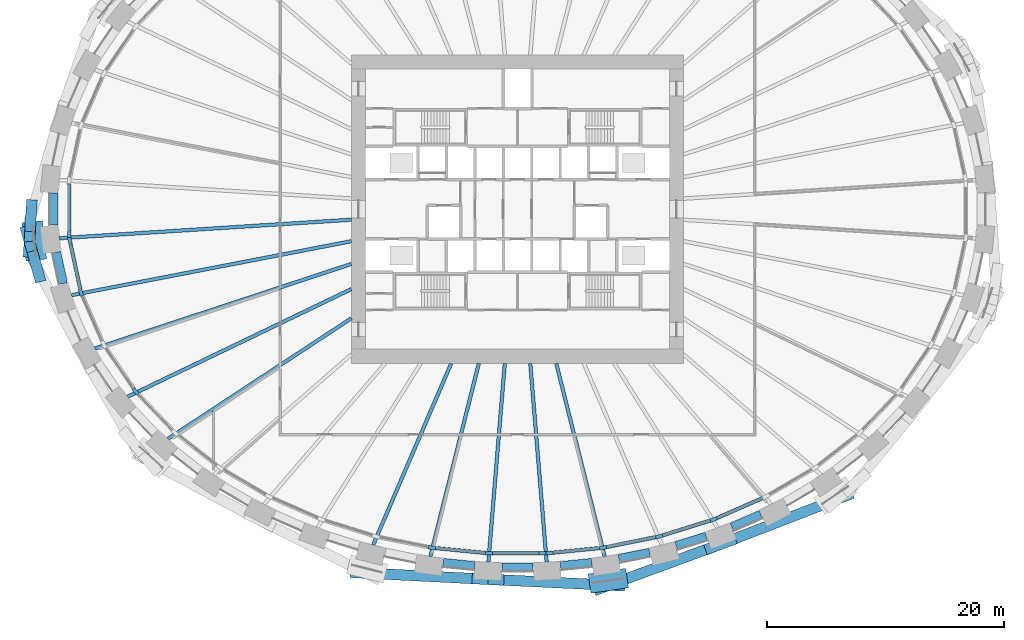
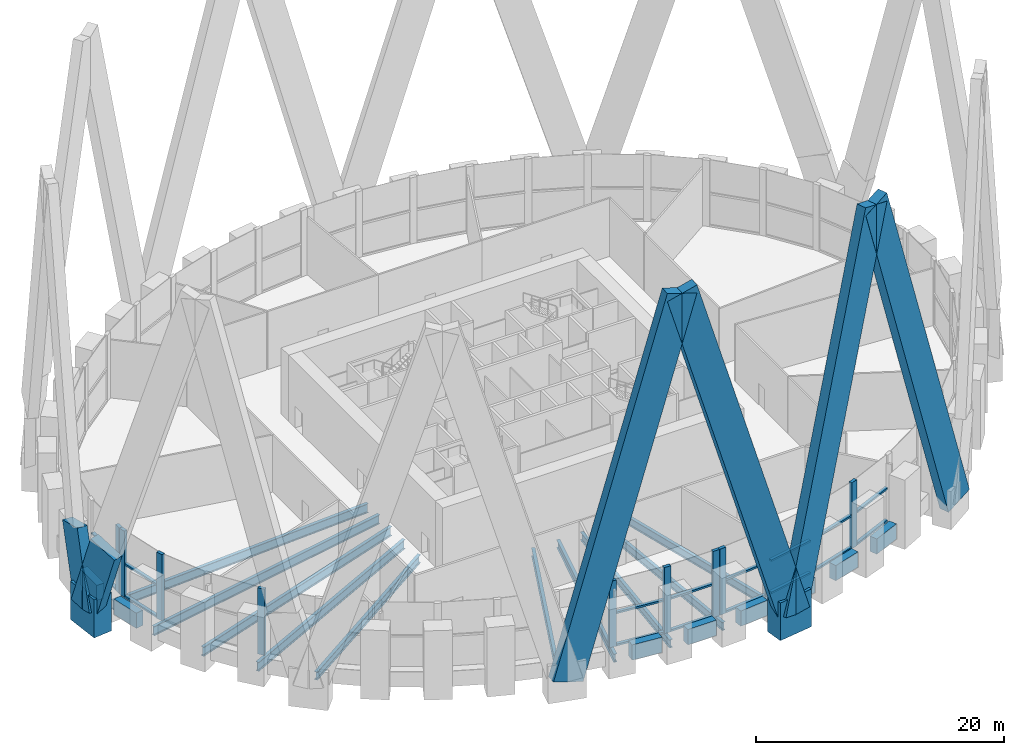
# One storey, part 2 of 17: 35 members, 18 beams, 3 elements without a shape of their own.
"""IFC4 building model written with IfcOpenShell, lengths in metres."""

from ifc_helpers import new_model, si_unit, direction, frame, origin, origin_2d, place, context, subcontext, project, spatial, rectangle, i_section, extrude, source, transform, mapped, material, material_profile, profile_set, type_object, element, aggregate, save


model = new_model("IFC4")

# Units and contexts
model_context = context("Model", 3, precision=1e-05, world=origin(), true_north=direction((0.0, 1.0)))
body_context = subcontext(model_context, "Body", "Model", "MODEL_VIEW")
ifc_project = project(units=[si_unit("LENGTHUNIT", "METRE"), si_unit("AREAUNIT", "SQUARE_METRE"), si_unit("VOLUMEUNIT", "CUBIC_METRE"), si_unit("PLANEANGLEUNIT", "RADIAN"), si_unit("MASSUNIT", "GRAM", prefix="KILO")], contexts=[model_context])

# Site, building, storey
site_placement = place(None, origin())
site = spatial("IfcSite", under=ifc_project, at=site_placement, CompositionType="ELEMENT")
building_placement = place(site_placement, origin())
building = spatial("IfcBuilding", under=site, at=building_placement, Name="Embergate Tower", CompositionType="ELEMENT")
storey_placement = place(building_placement, frame((0.0, 0.0, 125.0)))
storey = spatial("IfcBuildingStorey", under=building, at=storey_placement, Name="L27", CompositionType="ELEMENT", Elevation=125.0)

# Beams
ifc_material_1 = material(Name="Concrete C70", Category="concrete")
ifc_material_profile_1 = material_profile(ifc_material_1, rectangle(XDim=0.699951171875, YDim=1.5, at=origin_2d()), Name="RC 700x1500")
ifc_profile_set_1 = profile_set([ifc_material_profile_1], Name="Concrete C70")
beam_type_1 = type_object("IfcBeamType", Name="Spandrel beam RC 700x1500 C70", PredefinedType="BEAM", material=ifc_profile_set_1)
shared_shape_1 = source(origin(), body_context, "Body", "SweptSolid", [
    extrude(rectangle(XDim=0.699951171875, YDim=1.5, at=origin_2d()), origin(), (0.0, 0.0, 1.0), 2.6923828125),
])
beam_1_placement = place(storey_placement, frame((-38.843017578125, -3.634033203125, 0.0), z_axis=(0.210637397384, -0.977564262247, 0.0), x_axis=(0.977564262247, 0.210637397384, 0.0)))
element("IfcBeam", 1, at=beam_1_placement, inside=storey, type_object=beam_type_1, Name="SPN-L27-22", PredefinedType="BEAM", context=body_context, shape_type="MappedRepresentation", body=[
    mapped(shared_shape_1, transform((0.0, 0.0, 0.0))),
])
shared_shape_2 = source(origin(), body_context, "Body", "SweptSolid", [
    extrude(rectangle(XDim=0.699951171875, YDim=1.5, at=origin_2d()), origin(), (0.0, 0.0, 1.0), 2.658203125),
])
beam_2_placement = place(storey_placement, frame((18.06103515625, -26.780029296875, 0.0), z_axis=(0.916405886448, 0.400250235833, 0.0), x_axis=(-0.400250235833, 0.916405886448, 0.0)))
element("IfcBeam", 2, at=beam_2_placement, inside=storey, type_object=beam_type_1, Name="SPN-L27-36", PredefinedType="BEAM", context=body_context, shape_type="MappedRepresentation", body=[
    mapped(shared_shape_2, transform((0.0, 0.0, 0.0))),
])
shared_shape_3 = source(origin(), body_context, "Body", "SweptSolid", [
    extrude(rectangle(XDim=0.699951171875, YDim=1.5, at=origin_2d()), origin(), (0.0, 0.0, 1.0), 2.654296875),
])
beam_3_placement = place(storey_placement, frame((13.364990234375, -28.35498046875, 0.0), z_axis=(0.954674539356, 0.297651682181, 0.0), x_axis=(-0.297651682181, 0.954674539356, 0.0)))
element("IfcBeam", 3, at=beam_3_placement, inside=storey, type_object=beam_type_1, Name="SPN-L27-35", PredefinedType="BEAM", context=body_context, shape_type="MappedRepresentation", body=[
    mapped(shared_shape_3, transform((0.0, 0.0, 0.0))),
])
shared_shape_4 = source(origin(), body_context, "Body", "SweptSolid", [
    extrude(rectangle(XDim=0.699951171875, YDim=1.5, at=origin_2d()), origin(), (0.0, 0.0, 1.0), 2.65185546875),
])
beam_4_placement = place(storey_placement, frame((8.535888671875, -29.445068359375, 0.0), z_axis=(0.980438789246, 0.196824237691, 0.0), x_axis=(-0.196824237691, 0.980438789246, 0.0)))
element("IfcBeam", 4, at=beam_4_placement, inside=storey, type_object=beam_type_1, Name="SPN-L27-34", PredefinedType="BEAM", context=body_context, shape_type="MappedRepresentation", body=[
    mapped(shared_shape_4, transform((0.0, 0.0, 0.0))),
])
shared_shape_5 = source(origin(), body_context, "Body", "SweptSolid", [
    extrude(rectangle(XDim=0.699951171875, YDim=1.5, at=origin_2d()), origin(), (0.0, 0.0, 1.0), 2.651611328125),
])
for number, where, z_axis, x_axis, name in (
    (5, (-6.260986328125, -29.783935546875, 0.0), (0.99521694764, -0.097689442265, 0.0), (0.097689442265, 0.99521694764, 0.0), "SPN-L27-31"),
    (6, (3.6220703125, -30.04296875, 0.0), (0.99521694764, 0.097689442265, 0.0), (-0.097689442265, 0.99521694764, 0.0), "SPN-L27-33"),
):
    element("IfcBeam", number, at=place(storey_placement, frame(where, z_axis=z_axis, x_axis=x_axis)), inside=storey, type_object=beam_type_1, Name=name, PredefinedType="BEAM", context=body_context, shape_type="MappedRepresentation", body=[
        mapped(shared_shape_5, transform((0.0, 0.0, 0.0))),
    ])
shared_shape_6 = source(origin(), body_context, "Body", "SweptSolid", [
    extrude(rectangle(XDim=0.699951171875, YDim=1.5, at=origin_2d()), origin(), (0.0, 0.0, 1.0), 2.64990234375),
])
beam_5_placement = place(storey_placement, frame((-1.324951171875, -30.156005859375, 0.0), z_axis=(1.0, 0.0, 0.0), x_axis=(0.0, 1.0, 0.0)))
element("IfcBeam", 7, at=beam_5_placement, inside=storey, type_object=beam_type_1, Name="SPN-L27-32", PredefinedType="BEAM", context=body_context, shape_type="MappedRepresentation", body=[
    mapped(shared_shape_6, transform((0.0, 0.0, 0.0))),
])
shared_shape_7 = source(origin(), body_context, "Body", "SweptSolid", [
    extrude(rectangle(XDim=0.699951171875, YDim=1.5, at=origin_2d()), origin(), (0.0, 0.0, 1.0), 2.69384765625),
])
beam_6_placement = place(storey_placement, frame((-39.0859375, 1.346923828125, 0.0), z_axis=(0.0, -1.0, 0.0), x_axis=(1.0, 0.0, 0.0)))
element("IfcBeam", 8, at=beam_6_placement, inside=storey, type_object=beam_type_1, Name="SPN-L27-21", PredefinedType="BEAM", context=body_context, shape_type="MappedRepresentation", body=[
    mapped(shared_shape_7, transform((0.0, 0.0, 0.0))),
])
ifc_material_2 = material(Name="Steel Q355B", Category="steel")
ifc_material_profile_2 = material_profile(ifc_material_2, i_section(OverallWidth=0.300048828125, OverallDepth=0.89990234375, WebThickness=0.01611328125, FlangeThickness=0.028076171875, FilletRadius=0.028076171875, at=origin_2d()), Name="HN 900x300x16x28")
ifc_profile_set_2 = profile_set([ifc_material_profile_2], Name="Steel Q355 grade B")
beam_type_2 = type_object("IfcBeamType", Name="Radial girder HN 900x300x16x28", PredefinedType="BEAM", material=ifc_profile_set_2)
shared_shape_8 = source(origin(), body_context, "Body", "SweptSolid", [
    extrude(i_section(OverallWidth=0.300048828125, OverallDepth=0.89990234375, WebThickness=0.01611328125, FlangeThickness=0.028076171875, FilletRadius=0.028076171875, at=origin_2d()), origin(), (0.0, 0.0, 1.0), 24.66552734375),
])
beam_7_placement = place(storey_placement, frame((-38.615966796875, -2.452880859375, -0.75), z_axis=(0.997987769209, 0.063406722897, 0.0), x_axis=(-0.063406722897, 0.997987769209, 0.0)))
element("IfcBeam", 9, at=beam_7_placement, inside=storey, type_object=beam_type_2, Name="GIR-L27-22", PredefinedType="BEAM", context=body_context, shape_type="MappedRepresentation", body=[
    mapped(shared_shape_8, transform((0.0, 0.0, 0.0))),
])
shared_shape_9 = source(origin(), body_context, "Body", "SweptSolid", [
    extrude(i_section(OverallWidth=0.300048828125, OverallDepth=0.89990234375, WebThickness=0.01611328125, FlangeThickness=0.028076171875, FilletRadius=0.028076171875, at=origin_2d()), origin(), (0.0, 0.0, 1.0), 24.018798828125),
])
beam_8_placement = place(storey_placement, frame((-37.583984375, -7.25, -0.75), z_axis=(0.981893025148, 0.18943623509, 0.0), x_axis=(-0.18943623509, 0.981893025148, 0.0)))
element("IfcBeam", 10, at=beam_8_placement, inside=storey, type_object=beam_type_2, Name="GIR-L27-23", PredefinedType="BEAM", context=body_context, shape_type="MappedRepresentation", body=[
    mapped(shared_shape_9, transform((0.0, 0.0, 0.0))),
])
shared_shape_10 = source(origin(), body_context, "Body", "SweptSolid", [
    extrude(i_section(OverallWidth=0.300048828125, OverallDepth=0.89990234375, WebThickness=0.01611328125, FlangeThickness=0.028076171875, FilletRadius=0.028076171875, at=origin_2d()), origin(), (0.0, 0.0, 1.0), 22.758056640625),
])
beam_9_placement = place(storey_placement, frame((-35.613037109375, -11.7451171875, -0.75), z_axis=(0.949682619366, 0.313213860603, 0.0), x_axis=(-0.313213860603, 0.949682619366, 0.0)))
element("IfcBeam", 11, at=beam_9_placement, inside=storey, type_object=beam_type_2, Name="GIR-L27-24", PredefinedType="BEAM", context=body_context, shape_type="MappedRepresentation", body=[
    mapped(shared_shape_10, transform((0.0, 0.0, 0.0))),
])
shared_shape_11 = source(origin(), body_context, "Body", "SweptSolid", [
    extrude(i_section(OverallWidth=0.300048828125, OverallDepth=0.89990234375, WebThickness=0.01611328125, FlangeThickness=0.028076171875, FilletRadius=0.028076171875, at=origin_2d()), origin(), (0.0, 0.0, 1.0), 20.919921875),
])
beam_10_placement = place(storey_placement, frame((-32.85205078125, -15.803955078125, -0.75), z_axis=(0.901152314796, 0.433502601536, 0.0), x_axis=(-0.433502601536, 0.901152314796, 0.0)))
element("IfcBeam", 12, at=beam_10_placement, inside=storey, type_object=beam_type_2, Name="GIR-L27-25", PredefinedType="BEAM", context=body_context, shape_type="MappedRepresentation", body=[
    mapped(shared_shape_11, transform((0.0, 0.0, 0.0))),
])
ifc_material_profile_3 = material_profile(ifc_material_2, i_section(OverallWidth=0.300048828125, OverallDepth=0.800048828125, WebThickness=0.013916015625, FlangeThickness=0.02587890625, FilletRadius=0.028076171875, at=origin_2d()), Name="HN 800x300x14x26")
ifc_profile_set_3 = profile_set([ifc_material_profile_3], Name="Steel Q355 grade B")
beam_type_3 = type_object("IfcBeamType", Name="Radial girder HN 800x300x14x26", PredefinedType="BEAM", material=ifc_profile_set_3)
shared_shape_12 = source(origin(), body_context, "Body", "SweptSolid", [
    extrude(i_section(OverallWidth=0.300048828125, OverallDepth=0.800048828125, WebThickness=0.013916015625, FlangeThickness=0.02587890625, FilletRadius=0.028076171875, at=origin_2d()), origin(), (0.0, 0.0, 1.0), 18.501953125),
])
beam_11_placement = place(storey_placement, frame((-29.462890625, -19.35791015625, -0.699951171875), z_axis=(0.835740602897, 0.549124434596, 0.0), x_axis=(-0.549124434596, 0.835740602897, 0.0)))
element("IfcBeam", 13, at=beam_11_placement, inside=storey, type_object=beam_type_3, Name="GIR-L27-26", PredefinedType="BEAM", context=body_context, shape_type="MappedRepresentation", body=[
    mapped(shared_shape_12, transform((0.0, 0.0, 0.0))),
])
shared_shape_13 = source(origin(), body_context, "Body", "SweptSolid", [
    extrude(i_section(OverallWidth=0.300048828125, OverallDepth=0.800048828125, WebThickness=0.013916015625, FlangeThickness=0.02587890625, FilletRadius=0.028076171875, at=origin_2d()), origin(), (0.0, 0.0, 1.0), 16.652587890625),
])
beam_12_placement = place(storey_placement, frame((-12.1640625, -28.299072265625, -0.699951171875), z_axis=(0.394904635078, 0.918722117506, 0.0), x_axis=(-0.918722117506, 0.394904635078, 0.0)))
element("IfcBeam", 14, at=beam_12_placement, inside=storey, type_object=beam_type_3, Name="GIR-L27-30", PredefinedType="BEAM", context=body_context, shape_type="MappedRepresentation", body=[
    mapped(shared_shape_13, transform((0.0, 0.0, 0.0))),
])
shared_shape_14 = source(origin(), body_context, "Body", "SweptSolid", [
    extrude(i_section(OverallWidth=0.300048828125, OverallDepth=0.800048828125, WebThickness=0.013916015625, FlangeThickness=0.02587890625, FilletRadius=0.028076171875, at=origin_2d()), origin(), (0.0, 0.0, 1.0), 16.76953125),
])
for number, where, z_axis, x_axis, name in (
    (15, (-7.346923828125, -29.264892578125, -0.699951171875), (0.243477535857, 0.969906536494, 0.0), (-0.969906536494, 0.243477535857, 0.0), "GIR-L27-31"),
    (16, (7.346923828125, -29.264892578125, -0.699951171875), (-0.243477535857, 0.969906536494, 0.0), (-0.969906536494, -0.243477535857, 0.0), "GIR-L27-34"),
):
    element("IfcBeam", number, at=place(storey_placement, frame(where, z_axis=z_axis, x_axis=x_axis)), inside=storey, type_object=beam_type_3, Name=name, PredefinedType="BEAM", context=body_context, shape_type="MappedRepresentation", body=[
        mapped(shared_shape_14, transform((0.0, 0.0, 0.0))),
    ])
shared_shape_15 = source(origin(), body_context, "Body", "SweptSolid", [
    extrude(i_section(OverallWidth=0.300048828125, OverallDepth=0.800048828125, WebThickness=0.013916015625, FlangeThickness=0.02587890625, FilletRadius=0.028076171875, at=origin_2d()), origin(), (0.0, 0.0, 1.0), 16.802978515625),
])
for number, where, z_axis, x_axis, name in (
    (17, (-2.4560546875, -29.74609375, -0.699951171875), (0.082251838935, 0.99661157679, 0.0), (-0.99661157679, 0.082251838935, 0.0), "GIR-L27-32"),
    (18, (2.4560546875, -29.74609375, -0.699951171875), (-0.082251838935, 0.99661157679, 0.0), (-0.99661157679, -0.082251838935, 0.0), "GIR-L27-33"),
):
    element("IfcBeam", number, at=place(storey_placement, frame(where, z_axis=z_axis, x_axis=x_axis)), inside=storey, type_object=beam_type_3, Name=name, PredefinedType="BEAM", context=body_context, shape_type="MappedRepresentation", body=[
        mapped(shared_shape_15, transform((0.0, 0.0, 0.0))),
    ])

# Members
ifc_material_profile_4 = material_profile(ifc_material_1, rectangle(XDim=1.75, YDim=3.25, at=origin_2d()), Name="RC 1750x3250")
ifc_profile_set_4 = profile_set([ifc_material_profile_4], Name="Concrete C70")
member_type_1 = type_object("IfcMemberType", Name="Lattice node block RC 1750x3250", PredefinedType="POST", material=ifc_profile_set_4)
shared_shape_16 = source(origin(), body_context, "Body", "SweptSolid", [
    extrude(rectangle(XDim=1.75, YDim=3.25, at=origin_2d()), origin(), (0.0, 0.0, 1.0), 3.75),
])
member_1_placement = place(storey_placement, frame((-40.72900390625, -2.679931640625, -1.875), z_axis=(0.0, 0.0, 1.0), x_axis=(-0.99428589498, -0.106749983816, 0.0)))
element("IfcMember", 19, at=member_1_placement, inside=storey, type_object=member_type_1, Name="NOD-L27-22", PredefinedType="POST", context=body_context, shape_type="MappedRepresentation", body=[
    mapped(shared_shape_16, transform((0.0, 0.0, 0.0))),
])
ifc_material_profile_5 = material_profile(ifc_material_1, rectangle(XDim=1.64990234375, YDim=3.199951171875, at=origin_2d()), Name="RC 1650x3200")
ifc_profile_set_5 = profile_set([ifc_material_profile_5], Name="Concrete C70")
member_type_2 = type_object("IfcMemberType", Name="Lattice node block RC 1650x3200", PredefinedType="POST", material=ifc_profile_set_5)
shared_shape_17 = source(origin(), body_context, "Body", "SweptSolid", [
    extrude(rectangle(XDim=1.64990234375, YDim=3.199951171875, at=origin_2d()), origin(), (0.0, 0.0, 1.0), 3.7001953125),
])
member_2_placement = place(storey_placement, frame((7.652099609375, -31.318115234375, -1.85009765625), z_axis=(0.0, 0.0, 1.0), x_axis=(0.146929011949, -0.989147039346, 0.0)))
element("IfcMember", 20, at=member_2_placement, inside=storey, type_object=member_type_2, Name="NOD-L27-34", PredefinedType="POST", context=body_context, shape_type="MappedRepresentation", body=[
    mapped(shared_shape_17, transform((0.0, 0.0, 0.0))),
])
ifc_material_profile_6 = material_profile(ifc_material_1, rectangle(XDim=0.89990234375, YDim=2.800048828125, at=origin_2d()), Name="RC 900x2800")
ifc_profile_set_6 = profile_set([ifc_material_profile_6], Name="Concrete C70")
member_type_3 = type_object("IfcMemberType", Name="Lattice diagonal terracotta-faced RC 900x2800", PredefinedType="BRACE", material=ifc_profile_set_6)
shared_shape_18 = source(origin(), body_context, "Body", "SweptSolid", [
    extrude(rectangle(XDim=0.89990234375, YDim=2.800048828125, at=origin_2d()), origin(), (0.0, 0.0, 1.0), 7.33203125),
])
member_3_placement = place(storey_placement, frame((-41.134033203125, -2.722900390625, 0.0), z_axis=(0.018147586464, 0.296921153217, 0.954729539649), x_axis=(-0.998137437715, 0.06100537216, 0.0)))
element("IfcMember", 21, at=member_3_placement, inside=storey, type_object=member_type_3, Name="BRC-L27-22-20-S00", PredefinedType="BRACE", context=body_context, shape_type="MappedRepresentation", body=[
    mapped(shared_shape_18, transform((0.0, 0.0, 0.0))),
])
shared_shape_19 = source(origin(), body_context, "Body", "SweptSolid", [
    extrude(rectangle(XDim=0.89990234375, YDim=2.800048828125, at=origin_2d()), origin(), (0.0, 0.0, 1.0), 7.332763671875),
])
member_4_placement = place(storey_placement, frame((-41.134033203125, -2.722900390625, 0.0), z_axis=(0.080739357668, -0.286666337945, 0.954622211565), x_axis=(0.962550714496, 0.271101682074, 0.0)))
element("IfcMember", 22, at=member_4_placement, inside=storey, type_object=member_type_3, Name="BRC-L27-22-24-S00", PredefinedType="BRACE", context=body_context, shape_type="MappedRepresentation", body=[
    mapped(shared_shape_19, transform((0.0, 0.0, 0.0))),
])
shared_shape_20 = source(origin(), body_context, "Body", "SweptSolid", [
    extrude(rectangle(XDim=0.89990234375, YDim=2.800048828125, at=origin_2d()), origin(), (0.0, 0.0, 1.0), 36.386474609375),
])
member_5_placement = place(storey_placement, frame((-12.76806640625, -30.674072265625, 0.0), z_axis=(0.282550400516, -0.014318409791, 0.959145585565), x_axis=(0.050610652635, 0.998718459747, 0.0)))
element("IfcMember", 23, at=member_5_placement, inside=storey, type_object=member_type_3, Name="BRC-L27-30-32-S00", PredefinedType="BRACE", context=body_context, shape_type="MappedRepresentation", body=[
    mapped(shared_shape_20, transform((0.0, 0.0, 0.0))),
])
shared_shape_21 = source(origin(), body_context, "Body", "SweptSolid", [
    extrude(rectangle(XDim=0.89990234375, YDim=2.800048828125, at=origin_2d()), origin(), (0.0, 0.0, 1.0), 36.361328125),
])
member_6_placement = place(storey_placement, frame((7.7060546875, -31.68603515625, 0.0), z_axis=(-0.280328712663, 0.013502456017, 0.959809093798), x_axis=(-0.048110734554, -0.998842008138, 0.0)))
element("IfcMember", 24, at=member_6_placement, inside=storey, type_object=member_type_3, Name="BRC-L27-34-32-S00", PredefinedType="BRACE", context=body_context, shape_type="MappedRepresentation", body=[
    mapped(shared_shape_21, transform((0.0, 0.0, 0.0))),
])
shared_shape_22 = source(origin(), body_context, "Body", "SweptSolid", [
    extrude(rectangle(XDim=0.89990234375, YDim=2.800048828125, at=origin_2d()), origin(), (0.0, 0.0, 1.0), 36.30615234375),
])
member_7_placement = place(storey_placement, frame((7.7060546875, -31.68603515625, 0.0), z_axis=(0.258771971956, 0.094889332578, 0.961266394447), x_axis=(-0.344274721553, 0.938868955765, 0.0)))
element("IfcMember", 25, at=member_7_placement, inside=storey, type_object=member_type_3, Name="BRC-L27-34-36-S00", PredefinedType="BRACE", context=body_context, shape_type="MappedRepresentation", body=[
    mapped(shared_shape_22, transform((0.0, 0.0, 0.0))),
])
shared_shape_23 = source(origin(), body_context, "Body", "SweptSolid", [
    extrude(rectangle(XDim=0.89990234375, YDim=2.800048828125, at=origin_2d()), origin(), (0.0, 0.0, 1.0), 36.47021484375),
])
member_8_placement = place(storey_placement, frame((26.97705078125, -24.427978515625, 0.0), z_axis=(-0.27079563691, -0.104550733147, 0.956942457637), x_axis=(0.360174893096, -0.932884798023, 0.0)))
element("IfcMember", 26, at=member_8_placement, inside=storey, type_object=member_type_3, Name="BRC-L27-38-36-S00", PredefinedType="BRACE", context=body_context, shape_type="MappedRepresentation", body=[
    mapped(shared_shape_23, transform((0.0, 0.0, 0.0))),
])

# Curtain wall, member
ifc_material_3 = material(Name="Aluminium and glass", Category="aluminium")
curtain_wall_type = type_object("IfcCurtainWallType", Name="Sky lobby high glazing", PredefinedType="NOTDEFINED", material=ifc_material_3)
curtain_wall_1_placement = place(storey_placement, origin())
curtain_wall_1 = element("IfcCurtainWall", 27, at=curtain_wall_1_placement, inside=storey, type_object=curtain_wall_type, Name="Sky lobby high glazing run 2", ObjectType="SKY LOBBY HIGH GLAZING", PredefinedType="USERDEFINED")
ifc_material_4 = material(Name="Aluminium, thermally broken", Category="aluminium")
ifc_material_profile_7 = material_profile(ifc_material_4, rectangle(XDim=0.300048828125, YDim=0.60009765625, at=origin_2d()), Name="AL 600x300")
ifc_profile_set_7 = profile_set([ifc_material_profile_7], Name="Aluminium, thermally broken")
member_type_4 = type_object("IfcMemberType", Name="Sky lobby mullion", PredefinedType="MULLION", material=ifc_profile_set_7)
shared_shape_24 = source(origin(), body_context, "Body", "SweptSolid", [
    extrude(rectangle(XDim=0.300048828125, YDim=0.60009765625, at=origin_2d()), origin(), (0.0, 0.0, 1.0), 6.5),
])
member_9_placement = place(storey_placement, frame((-37.788330078125, -2.080810546875, 0.0), z_axis=(0.0, 0.0, 1.0), x_axis=(1.0, 0.0, 0.0)))
member_9 = element("IfcMember", 28, at=member_9_placement, type_object=member_type_4, Name="CW mullion 12", PredefinedType="MULLION", context=body_context, shape_type="MappedRepresentation", body=[
    mapped(shared_shape_24, transform((0.0, 0.0, 0.0))),
])

# Curtain wall, members
curtain_wall_2_placement = place(storey_placement, origin())
curtain_wall_2 = element("IfcCurtainWall", 29, at=curtain_wall_2_placement, inside=storey, type_object=curtain_wall_type, Name="Sky lobby high glazing run 3", ObjectType="SKY LOBBY HIGH GLAZING", PredefinedType="USERDEFINED")
member_10_placement = place(storey_placement, frame((-37.725341796875, -2.674072265625, 0.0), z_axis=(0.0, 0.0, 1.0), x_axis=(0.977614996305, 0.210401803698, 0.0)))
member_10 = element("IfcMember", 30, at=member_10_placement, type_object=member_type_4, Name="CW mullion 1", PredefinedType="MULLION", context=body_context, shape_type="MappedRepresentation", body=[
    mapped(shared_shape_24, transform((0.0, 0.0, 0.0))),
])
member_11_placement = place(storey_placement, frame((-36.785888671875, -7.0390625, 0.0), z_axis=(0.0, 0.0, 1.0), x_axis=(0.9514940392, 0.307667179542, 0.0)))
member_11 = element("IfcMember", 31, at=member_11_placement, type_object=member_type_4, Name="CW mullion 2", PredefinedType="MULLION", context=body_context, shape_type="MappedRepresentation", body=[
    mapped(shared_shape_24, transform((0.0, 0.0, 0.0))),
])
member_12_placement = place(storey_placement, frame((-32.179443359375, -15.364501953125, 0.0), z_axis=(0.0, 0.0, 1.0), x_axis=(0.777863789852, 0.628432911643, 0.0)))
member_12 = element("IfcMember", 32, at=member_12_placement, type_object=member_type_4, Name="CW mullion 4", PredefinedType="MULLION", context=body_context, shape_type="MappedRepresentation", body=[
    mapped(shared_shape_24, transform((0.0, 0.0, 0.0))),
])
member_13_placement = place(storey_placement, frame((-7.208251953125, -28.531494140625, 0.0), z_axis=(0.0, 0.0, 1.0), x_axis=(0.147408930294, 0.989075632735, 0.0)))
member_13 = element("IfcMember", 33, at=member_13_placement, type_object=member_type_4, Name="CW mullion 10", PredefinedType="MULLION", context=body_context, shape_type="MappedRepresentation", body=[
    mapped(shared_shape_24, transform((0.0, 0.0, 0.0))),
])
member_14_placement = place(storey_placement, frame((-2.41064453125, -29.003173828125, 0.0), z_axis=(0.0, 0.0, 1.0), x_axis=(0.048970053385, 0.998800247232, 0.0)))
member_14 = element("IfcMember", 34, at=member_14_placement, type_object=member_type_4, Name="CW mullion 11", PredefinedType="MULLION", context=body_context, shape_type="MappedRepresentation", body=[
    mapped(shared_shape_24, transform((0.0, 0.0, 0.0))),
])
member_15_placement = place(storey_placement, frame((2.110595703125, -29.003173828125, 0.0), z_axis=(0.0, 0.0, 1.0), x_axis=(0.0, 1.0, 0.0)))
member_15 = element("IfcMember", 35, at=member_15_placement, type_object=member_type_4, Name="CW mullion 12", PredefinedType="MULLION", context=body_context, shape_type="MappedRepresentation", body=[
    mapped(shared_shape_24, transform((0.0, 0.0, 0.0))),
])

curtain_wall_3_placement = place(storey_placement, origin())
curtain_wall_3 = element("IfcCurtainWall", 36, at=curtain_wall_3_placement, inside=storey, type_object=curtain_wall_type, Name="Sky lobby high glazing run 4", ObjectType="SKY LOBBY HIGH GLAZING", PredefinedType="USERDEFINED")
member_16_placement = place(storey_placement, frame((2.709228515625, -28.973876953125, 0.0), z_axis=(0.0, 0.0, 1.0), x_axis=(-0.09782781373, 0.995203355531, 0.0)))
member_16 = element("IfcMember", 37, at=member_16_placement, type_object=member_type_4, Name="CW mullion 1", PredefinedType="MULLION", context=body_context, shape_type="MappedRepresentation", body=[
    mapped(shared_shape_24, transform((0.0, 0.0, 0.0))),
])
member_17_placement = place(storey_placement, frame((7.208251953125, -28.531494140625, 0.0), z_axis=(0.0, 0.0, 1.0), x_axis=(-0.147408930294, 0.989075632735, 0.0)))
member_17 = element("IfcMember", 38, at=member_17_placement, type_object=member_type_4, Name="CW mullion 2", PredefinedType="MULLION", context=body_context, shape_type="MappedRepresentation", body=[
    mapped(shared_shape_24, transform((0.0, 0.0, 0.0))),
])
member_18_placement = place(storey_placement, frame((11.93359375, -27.583984375, 0.0), z_axis=(0.0, 0.0, 1.0), x_axis=(-0.247308499144, 0.96893679167, 0.0)))
member_18 = element("IfcMember", 39, at=member_18_placement, type_object=member_type_4, Name="CW mullion 3", PredefinedType="MULLION", context=body_context, shape_type="MappedRepresentation", body=[
    mapped(shared_shape_24, transform((0.0, 0.0, 0.0))),
])
member_19_placement = place(storey_placement, frame((16.532470703125, -26.151611328125, 0.0), z_axis=(0.0, 0.0, 1.0), x_axis=(-0.349497777064, 0.936937193107, 0.0)))
member_19 = element("IfcMember", 40, at=member_19_placement, type_object=member_type_4, Name="CW mullion 4", PredefinedType="MULLION", context=body_context, shape_type="MappedRepresentation", body=[
    mapped(shared_shape_24, transform((0.0, 0.0, 0.0))),
])

# Member
ifc_material_profile_8 = material_profile(ifc_material_4, rectangle(XDim=0.300048828125, YDim=0.179931640625, at=origin_2d()), Name="AL 180x300")
ifc_profile_set_8 = profile_set([ifc_material_profile_8], Name="Aluminium, thermally broken")
member_type_5 = type_object("IfcMemberType", Name="Sky lobby transom", PredefinedType="USERDEFINED", material=ifc_profile_set_8)
shared_shape_25 = source(origin(), body_context, "Body", "SweptSolid", [
    extrude(rectangle(XDim=0.300048828125, YDim=0.179931640625, at=origin_2d()), origin(), (0.0, 0.0, 1.0), 3.86474609375),
])
member_20_placement = place(storey_placement, frame((-37.662109375, -2.96728515625, 0.090087890625), z_axis=(0.210357315706, -0.977624569929, 0.0), x_axis=(0.977624569929, 0.210357315706, 0.0)))
member_20 = element("IfcMember", 41, at=member_20_placement, type_object=member_type_5, Name="CW transom 1.1", ObjectType="TRANSOM", PredefinedType="USERDEFINED", context=body_context, shape_type="MappedRepresentation", body=[
    mapped(shared_shape_25, transform((0.0, 0.0, 0.0))),
])

member_21_placement = place(storey_placement, frame((-37.662109375, -2.96728515625, 3.25), z_axis=(0.210357315706, -0.977624569929, 0.0), x_axis=(0.977624569929, 0.210357315706, 0.0)))
member_21 = element("IfcMember", 42, at=member_21_placement, type_object=member_type_5, Name="CW transom 1.2", ObjectType="TRANSOM", PredefinedType="USERDEFINED", context=body_context, shape_type="MappedRepresentation", body=[
    mapped(shared_shape_25, transform((0.0, 0.0, 0.0))),
])

shared_shape_26 = source(origin(), body_context, "Body", "SweptSolid", [
    extrude(rectangle(XDim=0.300048828125, YDim=0.179931640625, at=origin_2d()), origin(), (0.0, 0.0, 1.0), 4.213134765625),
])
member_22_placement = place(storey_placement, frame((16.807373046875, -26.031494140625, 0.090087890625), z_axis=(0.916227809224, 0.400657711275, 0.0), x_axis=(-0.400657711275, 0.916227809224, 0.0)))
member_22 = element("IfcMember", 43, at=member_22_placement, type_object=member_type_5, Name="CW transom 4.1", ObjectType="TRANSOM", PredefinedType="USERDEFINED", context=body_context, shape_type="MappedRepresentation", body=[
    mapped(shared_shape_26, transform((0.0, 0.0, 0.0))),
])

member_23_placement = place(storey_placement, frame((16.807373046875, -26.031494140625, 3.25), z_axis=(0.916227809224, 0.400657711275, 0.0), x_axis=(-0.400657711275, 0.916227809224, 0.0)))
member_23 = element("IfcMember", 44, at=member_23_placement, type_object=member_type_5, Name="CW transom 4.2", ObjectType="TRANSOM", PredefinedType="USERDEFINED", context=body_context, shape_type="MappedRepresentation", body=[
    mapped(shared_shape_26, transform((0.0, 0.0, 0.0))),
])

shared_shape_27 = source(origin(), body_context, "Body", "SweptSolid", [
    extrude(rectangle(XDim=0.300048828125, YDim=0.179931640625, at=origin_2d()), origin(), (0.0, 0.0, 1.0), 4.216796875),
])
member_24_placement = place(storey_placement, frame((12.219970703125, -27.49462890625, 0.090087890625), z_axis=(0.954783391598, 0.297302329504, 0.0), x_axis=(-0.297302329504, 0.954783391598, 0.0)))
member_24 = element("IfcMember", 45, at=member_24_placement, type_object=member_type_5, Name="CW transom 3.1", ObjectType="TRANSOM", PredefinedType="USERDEFINED", context=body_context, shape_type="MappedRepresentation", body=[
    mapped(shared_shape_27, transform((0.0, 0.0, 0.0))),
])

member_25_placement = place(storey_placement, frame((12.219970703125, -27.49462890625, 3.25), z_axis=(0.954783391598, 0.297302329504, 0.0), x_axis=(-0.297302329504, 0.954783391598, 0.0)))
member_25 = element("IfcMember", 46, at=member_25_placement, type_object=member_type_5, Name="CW transom 3.2", ObjectType="TRANSOM", PredefinedType="USERDEFINED", context=body_context, shape_type="MappedRepresentation", body=[
    mapped(shared_shape_27, transform((0.0, 0.0, 0.0))),
])

shared_shape_28 = source(origin(), body_context, "Body", "SweptSolid", [
    extrude(rectangle(XDim=0.300048828125, YDim=0.179931640625, at=origin_2d()), origin(), (0.0, 0.0, 1.0), 4.219482421875),
])
member_26_placement = place(storey_placement, frame((7.50244140625, -28.47265625, 0.090087890625), z_axis=(0.980469245045, 0.196672467625, 0.0), x_axis=(-0.196672467625, 0.980469245045, 0.0)))
member_26 = element("IfcMember", 47, at=member_26_placement, type_object=member_type_5, Name="CW transom 2.1", ObjectType="TRANSOM", PredefinedType="USERDEFINED", context=body_context, shape_type="MappedRepresentation", body=[
    mapped(shared_shape_28, transform((0.0, 0.0, 0.0))),
])

member_27_placement = place(storey_placement, frame((7.50244140625, -28.47265625, 3.25), z_axis=(0.980469245045, 0.196672467625, 0.0), x_axis=(-0.196672467625, 0.980469245045, 0.0)))
member_27 = element("IfcMember", 48, at=member_27_placement, type_object=member_type_5, Name="CW transom 2.2", ObjectType="TRANSOM", PredefinedType="USERDEFINED", context=body_context, shape_type="MappedRepresentation", body=[
    mapped(shared_shape_28, transform((0.0, 0.0, 0.0))),
])

shared_shape_29 = source(origin(), body_context, "Body", "SweptSolid", [
    extrude(rectangle(XDim=0.300048828125, YDim=0.179931640625, at=origin_2d()), origin(), (0.0, 0.0, 1.0), 4.220703125),
])
member_28_placement = place(storey_placement, frame((-6.90966796875, -28.560791015625, 0.090087890625), z_axis=(0.995199073523, -0.097871364859, 0.0), x_axis=(0.097871364859, 0.995199073523, 0.0)))
member_28 = element("IfcMember", 49, at=member_28_placement, type_object=member_type_5, Name="CW transom 10.1", ObjectType="TRANSOM", PredefinedType="USERDEFINED", context=body_context, shape_type="MappedRepresentation", body=[
    mapped(shared_shape_29, transform((0.0, 0.0, 0.0))),
])

member_29_placement = place(storey_placement, frame((-6.90966796875, -28.560791015625, 3.25), z_axis=(0.995199073523, -0.097871364859, 0.0), x_axis=(0.097871364859, 0.995199073523, 0.0)))
member_29 = element("IfcMember", 50, at=member_29_placement, type_object=member_type_5, Name="CW transom 10.2", ObjectType="TRANSOM", PredefinedType="USERDEFINED", context=body_context, shape_type="MappedRepresentation", body=[
    mapped(shared_shape_29, transform((0.0, 0.0, 0.0))),
])

shared_shape_30 = source(origin(), body_context, "Body", "SweptSolid", [
    extrude(rectangle(XDim=0.300048828125, YDim=0.179931640625, at=origin_2d()), origin(), (0.0, 0.0, 1.0), 3.921142578125),
])
member_30_placement = place(storey_placement, frame((-2.110595703125, -29.003173828125, 0.090087890625), z_axis=(1.0, 0.0, 0.0), x_axis=(0.0, 1.0, 0.0)))
member_30 = element("IfcMember", 51, at=member_30_placement, type_object=member_type_5, Name="CW transom 11.1", ObjectType="TRANSOM", PredefinedType="USERDEFINED", context=body_context, shape_type="MappedRepresentation", body=[
    mapped(shared_shape_30, transform((0.0, 0.0, 0.0))),
])

member_31_placement = place(storey_placement, frame((-2.110595703125, -29.003173828125, 3.25), z_axis=(1.0, 0.0, 0.0), x_axis=(0.0, 1.0, 0.0)))
member_31 = element("IfcMember", 52, at=member_31_placement, type_object=member_type_5, Name="CW transom 11.2", ObjectType="TRANSOM", PredefinedType="USERDEFINED", context=body_context, shape_type="MappedRepresentation", body=[
    mapped(shared_shape_30, transform((0.0, 0.0, 0.0))),
])

aggregate(curtain_wall_2, [member_10, member_11, member_12, member_13, member_14, member_15, member_20, member_21, member_28, member_29, member_30, member_31])

shared_shape_31 = source(origin(), body_context, "Body", "SweptSolid", [
    extrude(rectangle(XDim=0.300048828125, YDim=0.179931640625, at=origin_2d()), origin(), (0.0, 0.0, 1.0), 3.920654296875),
])
member_32_placement = place(storey_placement, frame((3.0078125, -28.944580078125, 0.090087890625), z_axis=(0.995197410875, 0.097888269922, 0.0), x_axis=(-0.097888269922, 0.995197410875, 0.0)))
member_32 = element("IfcMember", 53, at=member_32_placement, type_object=member_type_5, Name="CW transom 1.1", ObjectType="TRANSOM", PredefinedType="USERDEFINED", context=body_context, shape_type="MappedRepresentation", body=[
    mapped(shared_shape_31, transform((0.0, 0.0, 0.0))),
])

member_33_placement = place(storey_placement, frame((3.0078125, -28.944580078125, 3.25), z_axis=(0.995197410875, 0.097888269922, 0.0), x_axis=(-0.097888269922, 0.995197410875, 0.0)))
member_33 = element("IfcMember", 54, at=member_33_placement, type_object=member_type_5, Name="CW transom 1.2", ObjectType="TRANSOM", PredefinedType="USERDEFINED", context=body_context, shape_type="MappedRepresentation", body=[
    mapped(shared_shape_31, transform((0.0, 0.0, 0.0))),
])

aggregate(curtain_wall_3, [member_16, member_17, member_18, member_19, member_32, member_33, member_26, member_27, member_24, member_25, member_22, member_23])

shared_shape_32 = source(origin(), body_context, "Body", "SweptSolid", [
    extrude(rectangle(XDim=0.300048828125, YDim=0.179931640625, at=origin_2d()), origin(), (0.0, 0.0, 1.0), 3.86181640625),
])
member_34_placement = place(storey_placement, frame((-37.788330078125, 2.080810546875, 0.090087890625), z_axis=(0.0, -1.0, 0.0), x_axis=(1.0, 0.0, 0.0)))
member_34 = element("IfcMember", 55, at=member_34_placement, type_object=member_type_5, Name="CW transom 11.1", ObjectType="TRANSOM", PredefinedType="USERDEFINED", context=body_context, shape_type="MappedRepresentation", body=[
    mapped(shared_shape_32, transform((0.0, 0.0, 0.0))),
])

member_35_placement = place(storey_placement, frame((-37.788330078125, 2.080810546875, 3.25), z_axis=(0.0, -1.0, 0.0), x_axis=(1.0, 0.0, 0.0)))
member_35 = element("IfcMember", 56, at=member_35_placement, type_object=member_type_5, Name="CW transom 11.2", ObjectType="TRANSOM", PredefinedType="USERDEFINED", context=body_context, shape_type="MappedRepresentation", body=[
    mapped(shared_shape_32, transform((0.0, 0.0, 0.0))),
])

aggregate(curtain_wall_1, [member_9, member_34, member_35])

save(model, "model.ifc")
